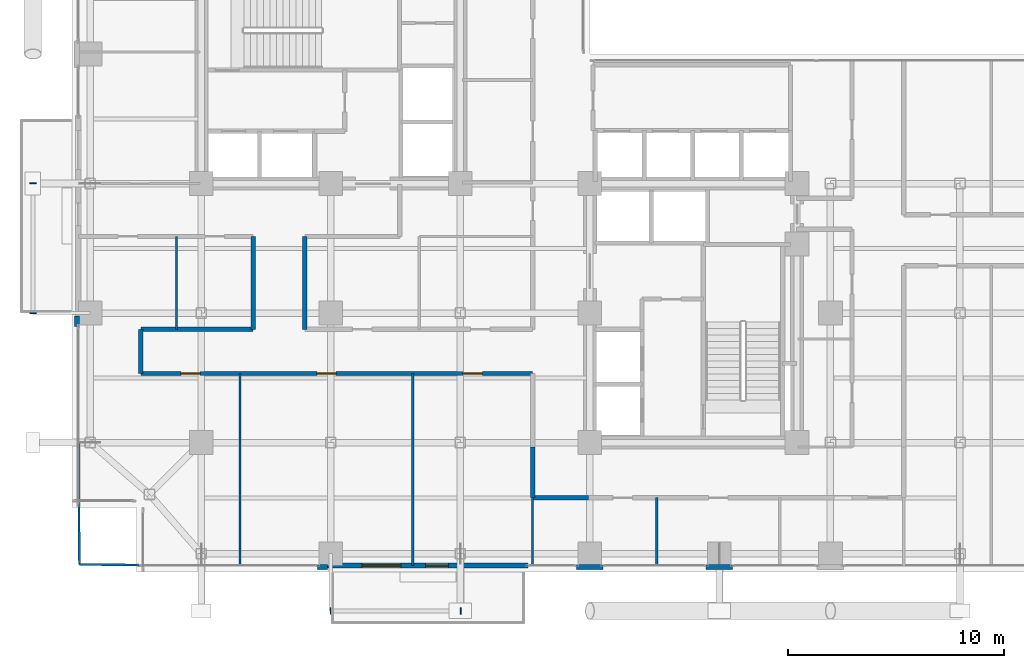
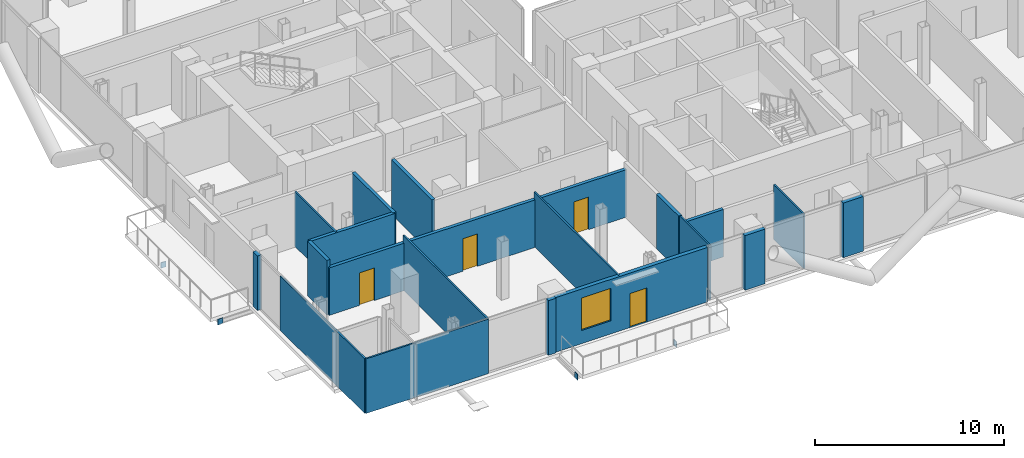
# One storey, part 18 of 24: 19 walls, 4 doors, 4 plates, 1 window, 5 openings.
"""IFC4 building model written with IfcOpenShell, lengths in metres."""

from ifc_helpers import new_model, si_unit, direction, frame, frame_2d, origin, origin_2d, place, context, subcontext, project, spatial, rectangle, extrude, material, layer, layer_set, type_object, element, fill, save


model = new_model("IFC4")

# Units and contexts
model_context = context("Model", 3, precision=1e-05, world=origin(), true_north=direction((0.0, 1.0)))
body_context = subcontext(model_context, "Body", "Model", "MODEL_VIEW")
ifc_project = project(units=[si_unit("LENGTHUNIT", "METRE"), si_unit("AREAUNIT", "SQUARE_METRE"), si_unit("VOLUMEUNIT", "CUBIC_METRE"), si_unit("PLANEANGLEUNIT", "RADIAN"), si_unit("MASSUNIT", "GRAM", prefix="KILO"), si_unit("THERMODYNAMICTEMPERATUREUNIT", "KELVIN"), si_unit("POWERUNIT", "WATT")], contexts=[model_context])

# Site, building, storey
site_placement = place(None, origin())
site = spatial("IfcSite", under=ifc_project, at=site_placement, CompositionType="ELEMENT")
building_placement = place(site_placement, origin())
building = spatial("IfcBuilding", under=site, at=building_placement, Name="Svarakhadi Broadcast Tower", CompositionType="ELEMENT")
storey_placement = place(building_placement, frame((0.0, 0.0, 141.89990234375)))
storey = spatial("IfcBuildingStorey", under=building, at=storey_placement, Name="L34", CompositionType="ELEMENT", Elevation=141.89990234375)

# Plates
ifc_material_1 = material(Name="Steel S460ML (IS 2062 E450BR)", Category="steel")
ifc_layer_1 = layer(ifc_material_1, 0.028076171875)
ifc_layer_set_1 = layer_set([ifc_layer_1], Name="Steel S460ML (IS 2062 E450BR)")
plate_type = type_object("IfcPlateType", Name="Cap_Plate_CP02", PredefinedType="USERDEFINED", material=ifc_layer_set_1)
for number, where, z_axis, x_axis, name in (
    (1, (11.985107421875, -1.800048828125, -0.55517578125), (0.0, 0.0, 1.0), (1.0, 0.0, 0.0), "L34 Balcony Spandrel End Cap Plate 1F-A"),
    (2, (18.014892578125, -1.800048828125, -0.55517578125), (0.0, 0.0, 1.0), (1.0, 0.0, 0.0), "L34 Balcony Spandrel End Cap Plate 1F-B"),
):
    element("IfcPlate", number, at=place(storey_placement, frame(where, z_axis=z_axis, x_axis=x_axis)), inside=storey, type_object=plate_type, Name=name, ObjectType="FLANGE_PLATE", PredefinedType="USERDEFINED", context=body_context, shape_type="SweptSolid", body=[
        extrude(rectangle(XDim=0.0400390625, YDim=0.300048828125, at=origin_2d()), origin(), (0.0, 0.0, 1.0), 0.360107421875),
    ])
for number, where, z_axis, x_axis, name in (
    (3, (-1.800048828125, 11.985107421875, -0.55517578125), (0.0, 0.0, 1.0), (1.0, 0.0, 0.0), "L34 Balcony Spandrel End Cap Plate 2F-A"),
    (4, (-1.800048828125, 18.014892578125, -0.55517578125), (0.0, 0.0, 1.0), (1.0, 0.0, 0.0), "L34 Balcony Spandrel End Cap Plate 2F-B"),
):
    element("IfcPlate", number, at=place(storey_placement, frame(where, z_axis=z_axis, x_axis=x_axis)), inside=storey, type_object=plate_type, Name=name, ObjectType="FLANGE_PLATE", PredefinedType="USERDEFINED", context=body_context, shape_type="SweptSolid", body=[
        extrude(rectangle(XDim=0.300048828125, YDim=0.0400390625, at=origin_2d()), origin(), (0.0, 0.0, 1.0), 0.360107421875),
    ])

# Walls
ifc_material_2 = material(Name="Double-Stud Acoustic Studio Partition STC-62", Category="gypsum")
ifc_layer_2 = layer(ifc_material_2, 0.199951171875)
ifc_layer_set_2 = layer_set([ifc_layer_2], Name="Double-Stud Acoustic Studio Partition STC-62")
wall_type_1 = type_object("IfcWallType", Name="Wall_Acoust_200", PredefinedType="PARTITIONING", material=ifc_layer_set_2)
wall_1_placement = place(storey_placement, frame((23.949951171875, 3.449951171875, 0.0), z_axis=(0.0, 0.0, 1.0), x_axis=(-1.0, 0.0, 0.0)))
element("IfcWall", 5, at=wall_1_placement, inside=storey, type_object=wall_type_1, Name="L34 Zone 2/3 Corridor Wall", PredefinedType="PARTITIONING", context=body_context, shape_type="SweptSolid", body=[
    extrude(rectangle(XDim=2.599853515625, YDim=0.199951171875, at=frame_2d((1.2998046875, 0.0))), origin(), (0.0, 0.0, 1.0), 3.067138671875),
])
wall_2_placement = place(storey_placement, frame((21.35009765625, 3.449951171875, 0.0), z_axis=(0.0, 0.0, 1.0), x_axis=(0.0, 1.0, 0.0)))
element("IfcWall", 6, at=wall_2_placement, inside=storey, type_object=wall_type_1, Name="L34 Zone 2/3 Corridor Wall", PredefinedType="PARTITIONING", context=body_context, shape_type="SweptSolid", body=[
    extrude(rectangle(XDim=2.35009765625, YDim=0.199951171875, at=frame_2d((1.175048828125, 0.0))), origin(), (0.0, 0.0, 1.0), 3.525146484375),
])

# Wall, openings, doors
wall_3_placement = place(storey_placement, frame((21.35009765625, 9.199951171875, 0.0), z_axis=(0.0, 0.0, 1.0), x_axis=(-1.0, 0.0, 0.0)))
wall_3 = element("IfcWall", 7, at=wall_3_placement, inside=storey, type_object=wall_type_1, Name="L34 Zone 2/3 Corridor Wall", PredefinedType="PARTITIONING", context=body_context, shape_type="SweptSolid", body=[
    extrude(rectangle(XDim=18.150146484375, YDim=0.199951171875, at=frame_2d((9.0751953125, 0.0))), origin(), (0.0, 0.0, 1.0), 3.067138671875),
])
opening_1_placement = place(wall_3_placement, frame((15.39990234375, 0.0, 0.0)))
opening_1 = element("IfcOpeningElement", 8, at=opening_1_placement, cuts=wall_3, Name="Opening D-15", PredefinedType="OPENING", context=body_context, shape_type="SweptSolid", body=[
    extrude(rectangle(XDim=0.89990234375, YDim=2.10009765625, at=frame_2d((0.449951171875, 1.050048828125))), frame((0.0, 0.10986328125, 0.0), z_axis=(0.0, -1.0, 0.0), x_axis=(1.0, 0.0, 0.0)), (0.0, 0.0, 1.0), 0.219970703125),
])
opening_2_placement = place(wall_3_placement, frame((9.10009765625, 0.0, 0.0)))
opening_2 = element("IfcOpeningElement", 9, at=opening_2_placement, cuts=wall_3, Name="Opening D-14", PredefinedType="OPENING", context=body_context, shape_type="SweptSolid", body=[
    extrude(rectangle(XDim=0.89990234375, YDim=2.10009765625, at=frame_2d((0.449951171875, 1.050048828125))), frame((0.0, 0.10986328125, 0.0), z_axis=(0.0, -1.0, 0.0), x_axis=(1.0, 0.0, 0.0)), (0.0, 0.0, 1.0), 0.219970703125),
])
opening_3_placement = place(wall_3_placement, frame((2.324951171875, 0.0, 0.0)))
opening_3 = element("IfcOpeningElement", 10, at=opening_3_placement, cuts=wall_3, Name="Opening D-15", PredefinedType="OPENING", context=body_context, shape_type="SweptSolid", body=[
    extrude(rectangle(XDim=0.89990234375, YDim=2.10009765625, at=frame_2d((0.449951171875, 1.050048828125))), frame((0.0, 0.10986328125, 0.0), z_axis=(0.0, -1.0, 0.0), x_axis=(1.0, 0.0, 0.0)), (0.0, 0.0, 1.0), 0.219970703125),
])
ifc_material_3 = material(Name="Solid-Core Teak Veneer Acoustic Timber Leaf", Category="wood")
door_type_1 = type_object("IfcDoorType", Name="Door_Int_D14", OperationType="SINGLE_SWING_LEFT", PredefinedType="DOOR", material=ifc_material_3)
door_1_placement = place(opening_2_placement, origin())
door_1 = element("IfcDoor", 11, at=door_1_placement, inside=storey, type_object=door_type_1, Name="L34 Motion Capture Volume Studio Door", OperationType="SINGLE_SWING_LEFT", OverallHeight=2.10009765625, OverallWidth=0.89990234375, PredefinedType="DOOR", context=body_context, shape_type="SweptSolid", body=[
    extrude(rectangle(XDim=0.89990234375, YDim=2.10009765625, at=frame_2d((0.449951171875, 1.050048828125))), frame((0.0, 0.02490234375, 0.0), z_axis=(0.0, -1.0, 0.0), x_axis=(1.0, 0.0, 0.0)), (0.0, 0.0, 1.0), 0.050048828125),
])
fill(opening_2, door_1)
door_type_2 = type_object("IfcDoorType", Name="Door_Int_D15", OperationType="SINGLE_SWING_RIGHT", PredefinedType="DOOR", material=ifc_material_3)
door_2_placement = place(opening_1_placement, origin())
door_2 = element("IfcDoor", 12, at=door_2_placement, inside=storey, type_object=door_type_2, Name="L34 Unreal Virtual Production Lab Door", OperationType="SINGLE_SWING_RIGHT", OverallHeight=2.10009765625, OverallWidth=0.89990234375, PredefinedType="DOOR", context=body_context, shape_type="SweptSolid", body=[
    extrude(rectangle(XDim=0.89990234375, YDim=2.10009765625, at=frame_2d((0.449951171875, 1.050048828125))), frame((0.0, 0.02490234375, 0.0), z_axis=(0.0, -1.0, 0.0), x_axis=(1.0, 0.0, 0.0)), (0.0, 0.0, 1.0), 0.050048828125),
])
fill(opening_1, door_2)
door_3_placement = place(opening_3_placement, origin())
door_3 = element("IfcDoor", 13, at=door_3_placement, inside=storey, type_object=door_type_2, Name="L34 GPU Render Farm Room Door", OperationType="SINGLE_SWING_RIGHT", OverallHeight=2.10009765625, OverallWidth=0.89990234375, PredefinedType="DOOR", context=body_context, shape_type="SweptSolid", body=[
    extrude(rectangle(XDim=0.89990234375, YDim=2.10009765625, at=frame_2d((0.449951171875, 1.050048828125))), frame((0.0, 0.02490234375, 0.0), z_axis=(0.0, -1.0, 0.0), x_axis=(1.0, 0.0, 0.0)), (0.0, 0.0, 1.0), 0.050048828125),
])
fill(opening_3, door_3)

# Walls
wall_4_placement = place(storey_placement, frame((3.199951171875, 9.199951171875, 0.0), z_axis=(0.0, 0.0, 1.0), x_axis=(0.0, 1.0, 0.0)))
element("IfcWall", 14, at=wall_4_placement, inside=storey, type_object=wall_type_1, Name="L34 Zone 2/3 Corridor Wall", PredefinedType="PARTITIONING", context=body_context, shape_type="SweptSolid", body=[
    extrude(rectangle(XDim=2.050048828125, YDim=0.199951171875, at=frame_2d((1.02490234375, 0.0))), origin(), (0.0, 0.0, 1.0), 3.525146484375),
])
wall_5_placement = place(storey_placement, frame((3.199951171875, 11.25, 0.0), z_axis=(0.0, 0.0, 1.0), x_axis=(1.0, 0.0, 0.0)))
element("IfcWall", 15, at=wall_5_placement, inside=storey, type_object=wall_type_1, Name="L34 Zone 2/3 Corridor Wall", PredefinedType="PARTITIONING", context=body_context, shape_type="SweptSolid", body=[
    extrude(rectangle(XDim=5.199951171875, YDim=0.199951171875, at=frame_2d((2.60009765625, 0.0))), origin(), (0.0, 0.0, 1.0), 3.525146484375),
])
for number, where, z_axis, x_axis, name in (
    (16, (8.39990234375, 11.25, 0.0), (0.0, 0.0, 1.0), (0.0, 1.0, 0.0), "L34 Zone 2/3 Corridor Wall"),
    (17, (10.800048828125, 15.550048828125, 0.0), (0.0, 0.0, 1.0), (0.0, -1.0, 0.0), "L34 Zone 2/3 Corridor Wall"),
):
    element("IfcWall", number, at=place(storey_placement, frame(where, z_axis=z_axis, x_axis=x_axis)), inside=storey, type_object=wall_type_1, Name=name, PredefinedType="PARTITIONING", context=body_context, shape_type="SweptSolid", body=[
        extrude(rectangle(XDim=4.300048828125, YDim=0.199951171875, at=frame_2d((2.14990234375, 0.0))), origin(), (0.0, 0.0, 1.0), 3.525146484375),
    ])

# Wall, openings, door, window
ifc_material_4 = material(Name="Concrete C40/50 (IS 456 M50)", Category="concrete")
ifc_layer_3 = layer(ifc_material_4, 0.239990234375)
ifc_layer_set_3 = layer_set([ifc_layer_3], Name="Concrete C40/50 (IS 456 M50)")
wall_type_2 = type_object("IfcWallType", Name="Wall_Ext_240", PredefinedType="SOLIDWALL", material=ifc_layer_set_3)
wall_6_placement = place(storey_placement, frame((21.14501953125, 0.300048828125, 0.0), z_axis=(0.0, 0.0, 1.0), x_axis=(-1.0, 0.0, 0.0)))
wall_6 = element("IfcWall", 18, at=wall_6_placement, inside=storey, type_object=wall_type_2, Name="L34 South Tree Balcony Spandrel Wall", PredefinedType="SOLIDWALL", context=body_context, shape_type="SweptSolid", body=[
    extrude(rectangle(XDim=9.2900390625, YDim=0.239990234375, at=frame_2d((4.64501953125, 0.0))), origin(), (0.0, 0.0, 1.0), 3.525146484375),
])
opening_4_placement = place(wall_6_placement, frame((3.699951171875, 0.0, 0.0)))
opening_4 = element("IfcOpeningElement", 19, at=opening_4_placement, cuts=wall_6, Name="Opening ED-06", PredefinedType="OPENING", context=body_context, shape_type="SweptSolid", body=[
    extrude(rectangle(XDim=1.050048828125, YDim=2.199951171875, at=frame_2d((0.52490234375, 1.10009765625))), frame((0.0, 0.1298828125, 0.0), z_axis=(0.0, -1.0, 0.0), x_axis=(1.0, 0.0, 0.0)), (0.0, 0.0, 1.0), 0.260009765625),
])
opening_5_placement = place(wall_6_placement, frame((5.89990234375, 0.0, 0.85009765625)))
opening_5 = element("IfcOpeningElement", 20, at=opening_5_placement, cuts=wall_6, Name="Opening WN-02", PredefinedType="OPENING", context=body_context, shape_type="SweptSolid", body=[
    extrude(rectangle(XDim=1.800048828125, YDim=2.10009765625, at=frame_2d((0.89990234375, 1.050048828125))), frame((0.0, 0.1298828125, 0.0), z_axis=(0.0, -1.0, 0.0), x_axis=(1.0, 0.0, 0.0)), (0.0, 0.0, 1.0), 0.260009765625),
])
ifc_material_5 = material(Name="Anodised Bronze Aluminium AA 6063-T6", Category="aluminium")
door_type_3 = type_object("IfcDoorType", Name="Door_Ext_ED06", OperationType="SINGLE_SWING_RIGHT", PredefinedType="DOOR", material=ifc_material_5)
door_4_placement = place(opening_4_placement, origin())
door_4 = element("IfcDoor", 21, at=door_4_placement, inside=storey, type_object=door_type_3, Name="L34 South Tree Balcony Door", OperationType="SINGLE_SWING_RIGHT", OverallHeight=2.199951171875, OverallWidth=1.050048828125, PredefinedType="DOOR", context=body_context, shape_type="SweptSolid", body=[
    extrude(rectangle(XDim=1.050048828125, YDim=2.199951171875, at=frame_2d((0.52490234375, 1.10009765625))), frame((0.0, 0.02490234375, 0.0), z_axis=(0.0, -1.0, 0.0), x_axis=(1.0, 0.0, 0.0)), (0.0, 0.0, 1.0), 0.050048828125),
])
fill(opening_4, door_4)
ifc_material_6 = material(Name="Double Low-E Laminated Acoustic Glass IGU 36 mm", Category="glass")
window_type = type_object("IfcWindowType", Name="Win_Fixed_WN02", PartitioningType="SINGLE_PANEL", PredefinedType="WINDOW", material=ifc_material_6)
window_placement = place(opening_5_placement, origin())
window = element("IfcWindow", 22, at=window_placement, inside=storey, type_object=window_type, Name="L34 South Tree Balcony Window", OverallHeight=2.10009765625, OverallWidth=1.800048828125, PartitioningType="SINGLE_PANEL", PredefinedType="WINDOW", context=body_context, shape_type="SweptSolid", body=[
    extrude(rectangle(XDim=1.800048828125, YDim=2.10009765625, at=frame_2d((0.89990234375, 1.050048828125))), frame((0.0, 0.030029296875, 0.0), z_axis=(0.0, -1.0, 0.0), x_axis=(1.0, 0.0, 0.0)), (0.0, 0.0, 1.0), 0.06005859375),
])
fill(opening_5, window)

# Walls
wall_7_placement = place(storey_placement, frame((0.239990234375, 11.385009765625, 0.0), z_axis=(0.0, 0.0, 1.0), x_axis=(0.0, 1.0, 0.0)))
element("IfcWall", 23, at=wall_7_placement, inside=storey, type_object=wall_type_2, Name="L34 Perimeter Bronze Spandrel Closure Wall 01", PredefinedType="SOLIDWALL", context=body_context, shape_type="SweptSolid", body=[
    extrude(rectangle(XDim=0.469970703125, YDim=0.239990234375, at=frame_2d((0.23486328125, 0.0))), origin(), (0.0, 0.0, 1.0), 3.525146484375),
])
for number, where, z_axis, x_axis, name in (
    (24, (30.614990234375, 0.239990234375, 0.0), (0.0, 0.0, 1.0), (-1.0, 0.0, 0.0), "L34 Perimeter Bronze Spandrel Closure Wall 08"),
    (25, (24.614990234375, 0.239990234375, 0.0), (0.0, 0.0, 1.0), (-1.0, 0.0, 0.0), "L34 Perimeter Bronze Spandrel Closure Wall 09"),
):
    element("IfcWall", number, at=place(storey_placement, frame(where, z_axis=z_axis, x_axis=x_axis)), inside=storey, type_object=wall_type_2, Name=name, PredefinedType="SOLIDWALL", context=body_context, shape_type="SweptSolid", body=[
        extrude(rectangle(XDim=1.22998046875, YDim=0.239990234375, at=frame_2d((0.614990234375, 0.0))), origin(), (0.0, 0.0, 1.0), 3.525146484375),
    ])
wall_8_placement = place(storey_placement, frame((11.85498046875, 0.239990234375, 0.0), z_axis=(0.0, 0.0, 1.0), x_axis=(-1.0, 0.0, 0.0)))
element("IfcWall", 26, at=wall_8_placement, inside=storey, type_object=wall_type_2, Name="L34 Perimeter Bronze Spandrel Closure Wall 10", PredefinedType="SOLIDWALL", context=body_context, shape_type="SweptSolid", body=[
    extrude(rectangle(XDim=0.469970703125, YDim=0.239990234375, at=frame_2d((0.23486328125, 0.0))), origin(), (0.0, 0.0, 1.0), 3.525146484375),
])
ifc_material_7 = material(Name="Fire-Rated Moisture-Resistant Gypsum Board Partition", Category="gypsum")
ifc_layer_4 = layer(ifc_material_7, 0.10009765625)
ifc_layer_set_4 = layer_set([ifc_layer_4], Name="Fire-Rated Moisture-Resistant Gypsum Board Partition")
wall_type_3 = type_object("IfcWallType", Name="Wall_Part_100", PredefinedType="PARTITIONING", material=ifc_layer_set_4)
for number, where, z_axis, x_axis, name in (
    (27, (21.35009765625, 0.300048828125, 0.0), (0.0, 0.0, 1.0), (0.0, 1.0, 0.0), "L34 Harbour Front Production Office Wall"),
    (28, (27.10009765625, 0.300048828125, 0.0), (0.0, 0.0, 1.0), (0.0, 1.0, 0.0), "L34 Harbour Front Production Office Wall"),
):
    element("IfcWall", number, at=place(storey_placement, frame(where, z_axis=z_axis, x_axis=x_axis)), inside=storey, type_object=wall_type_3, Name=name, PredefinedType="PARTITIONING", context=body_context, shape_type="SweptSolid", body=[
        extrude(rectangle(XDim=3.14990234375, YDim=0.10009765625, at=frame_2d((1.574951171875, 0.0))), origin(), (0.0, 0.0, 1.0), 3.525146484375),
    ])
wall_9_placement = place(storey_placement, frame((0.35009765625, 0.35009765625, 0.0), z_axis=(0.0, 0.0, 1.0), x_axis=(0.999977434951, -0.006717855945, 0.0)))
element("IfcWall", 29, at=wall_9_placement, inside=storey, type_object=wall_type_3, Name="L34 Unreal Virtual Production Lab Wall", PredefinedType="PARTITIONING", context=body_context, shape_type="SweptSolid", body=[
    extrude(rectangle(XDim=7.4501953125, YDim=0.10009765625, at=frame_2d((3.72509765625, 0.0))), origin(), (0.0, 0.0, 1.0), 3.525146484375),
])
wall_10_placement = place(storey_placement, frame((0.35009765625, 0.35009765625, 0.0), z_axis=(0.0, 0.0, 1.0), x_axis=(-0.005655237989, 0.999984009014, 0.0)))
element("IfcWall", 30, at=wall_10_placement, inside=storey, type_object=wall_type_3, Name="L34 Unreal Virtual Production Lab Wall", PredefinedType="PARTITIONING", context=body_context, shape_type="SweptSolid", body=[
    extrude(rectangle(XDim=8.85009765625, YDim=0.10009765625, at=frame_2d((4.425048828125, 0.0))), origin(), (0.0, 0.0, 1.0), 3.525146484375),
])
for number, where, z_axis, x_axis, name in (
    (31, (7.800048828125, 0.300048828125, 0.0), (0.0, 0.0, 1.0), (0.0, 1.0, 0.0), "L34 Unreal Virtual Production Lab Wall"),
    (32, (15.800048828125, 0.300048828125, 0.0), (0.0, 0.0, 1.0), (0.0, 1.0, 0.0), "L34 Motion Capture Volume Studio Wall"),
):
    element("IfcWall", number, at=place(storey_placement, frame(where, z_axis=z_axis, x_axis=x_axis)), inside=storey, type_object=wall_type_3, Name=name, PredefinedType="PARTITIONING", context=body_context, shape_type="SweptSolid", body=[
        extrude(rectangle(XDim=8.89990234375, YDim=0.10009765625, at=frame_2d((4.449951171875, 0.0))), origin(), (0.0, 0.0, 1.0), 3.525146484375),
    ])
wall_11_placement = place(storey_placement, frame((4.85009765625, 11.25, 0.0), z_axis=(0.0, 0.0, 1.0), x_axis=(0.0, 1.0, 0.0)))
element("IfcWall", 33, at=wall_11_placement, inside=storey, type_object=wall_type_3, Name="L34 Photogrammetry Rig Room Wall", PredefinedType="PARTITIONING", context=body_context, shape_type="SweptSolid", body=[
    extrude(rectangle(XDim=4.300048828125, YDim=0.10009765625, at=frame_2d((2.14990234375, 0.0))), origin(), (0.0, 0.0, 1.0), 3.525146484375),
])

save(model, "model.ifc")
